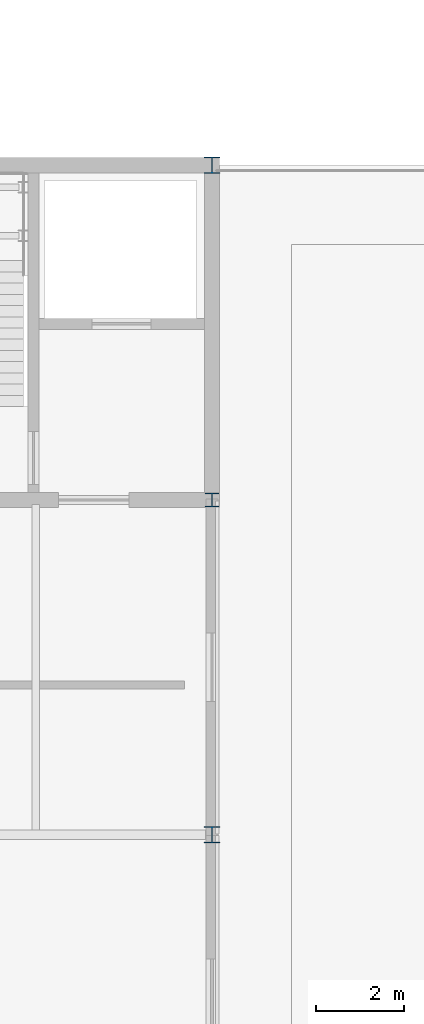
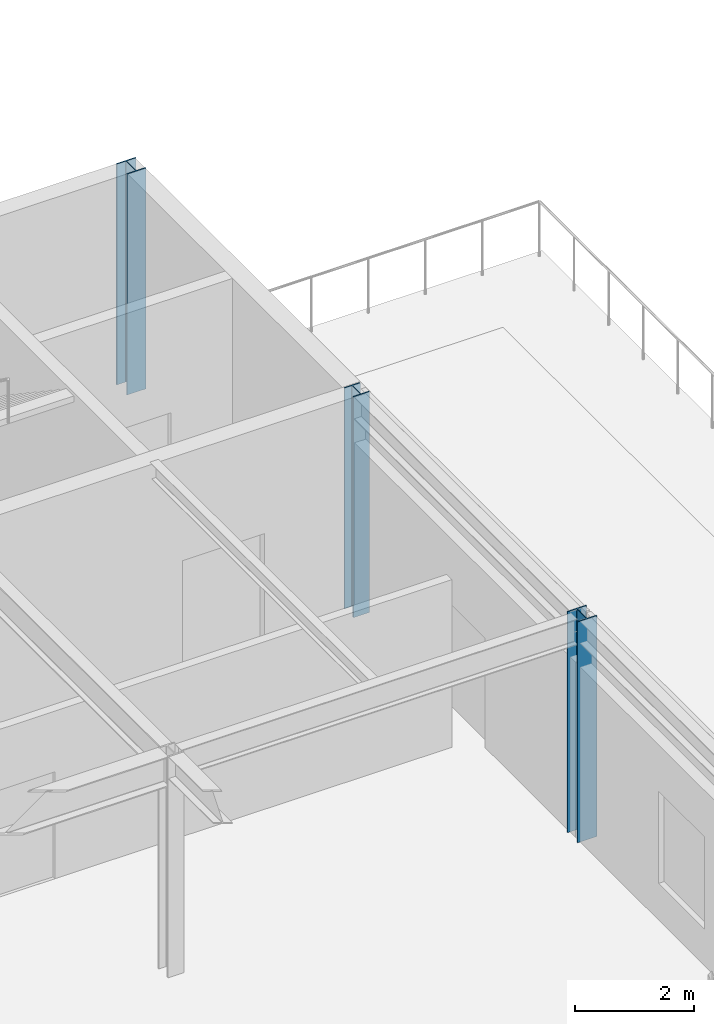
# One storey, part 16 of 100: 3 columns.
"""IFC4 building model written with IfcOpenShell, lengths in metres."""

from ifc_helpers import new_model, si_unit, direction, frame, origin, origin_2d, place, context, subcontext, project, spatial, i_section, extrude, material, material_profile, profile_set, type_object, element, save


model = new_model("IFC4")

# Units and contexts
model_context = context("Model", 3, precision=1e-05, world=origin(), true_north=direction((0.0, 1.0)))
body_context = subcontext(model_context, "Body", "Model", "MODEL_VIEW")
ifc_project = project(units=[si_unit("LENGTHUNIT", "METRE"), si_unit("AREAUNIT", "SQUARE_METRE"), si_unit("VOLUMEUNIT", "CUBIC_METRE"), si_unit("PLANEANGLEUNIT", "RADIAN"), si_unit("MASSUNIT", "GRAM", prefix="KILO")], contexts=[model_context])

# Site, building, storey
site_placement = place(None, origin())
site = spatial("IfcSite", under=ifc_project, at=site_placement, CompositionType="ELEMENT")
building_placement = place(site_placement, origin())
building = spatial("IfcBuilding", under=site, at=building_placement, Name="Zulena Civic Courthouse", CompositionType="ELEMENT")
storey_placement = place(building_placement, frame((0.0, 0.0, 20.39990234375)))
storey = spatial("IfcBuildingStorey", under=building, at=storey_placement, Name="L04", CompositionType="ELEMENT", Elevation=20.39990234375)

# Columns
ifc_material = material(Name="Steel ASTM A992 Grade 50", Category="steel")
ifc_material_profile_1 = material_profile(ifc_material, i_section(OverallWidth=0.30908203125, OverallDepth=0.322998046875, WebThickness=0.013916015625, FlangeThickness=0.02294921875, FilletRadius=0.01513671875, at=origin_2d()), Name="W12X96")
ifc_profile_set_1 = profile_set([ifc_material_profile_1], Name="Steel ASTM A992 Grade 50")
column_type_1 = type_object("IfcColumnType", Name="Col_W12X96", PredefinedType="COLUMN", material=ifc_profile_set_1)
column_placement = place(storey_placement, frame((164.0, 45.60009765625, 0.0), z_axis=(0.0, 0.0, 1.0), x_axis=(1.0, 0.0, 0.0)))
element("IfcColumn", 1, at=column_placement, inside=storey, type_object=column_type_1, Name="col:V3:L04:164.0:45.6", PredefinedType="COLUMN", context=body_context, shape_type="SweptSolid", body=[
    extrude(i_section(OverallWidth=0.30908203125, OverallDepth=0.322998046875, WebThickness=0.013916015625, FlangeThickness=0.02294921875, FilletRadius=0.01513671875, at=origin_2d()), origin(), (0.0, 0.0, 1.0), 4.545166015625),
])
ifc_material_profile_2 = material_profile(ifc_material, i_section(OverallWidth=0.373046875, OverallDepth=0.367919921875, WebThickness=0.014892578125, FlangeThickness=0.02392578125, FilletRadius=0.01513671875, at=origin_2d()), Name="W14X120")
ifc_profile_set_2 = profile_set([ifc_material_profile_2], Name="Steel ASTM A992 Grade 50")
column_type_2 = type_object("IfcColumnType", Name="Col_W14X120", PredefinedType="COLUMN", material=ifc_profile_set_2)
for number, where, z_axis, x_axis, name in (
    (2, (164.0, 38.0, 0.0), (0.0, 0.0, 1.0), (1.0, 0.0, 0.0), "col:V3:L04:164.0:38.0"),
    (3, (164.0, 53.199951171875, 0.0), (0.0, 0.0, 1.0), (1.0, 0.0, 0.0), "col:V3:L04:164.0:53.2"),
):
    element("IfcColumn", number, at=place(storey_placement, frame(where, z_axis=z_axis, x_axis=x_axis)), inside=storey, type_object=column_type_2, Name=name, PredefinedType="COLUMN", context=body_context, shape_type="SweptSolid", body=[
        extrude(i_section(OverallWidth=0.373046875, OverallDepth=0.367919921875, WebThickness=0.014892578125, FlangeThickness=0.02392578125, FilletRadius=0.01513671875, at=origin_2d()), origin(), (0.0, 0.0, 1.0), 4.545166015625),
    ])

save(model, "model.ifc")
